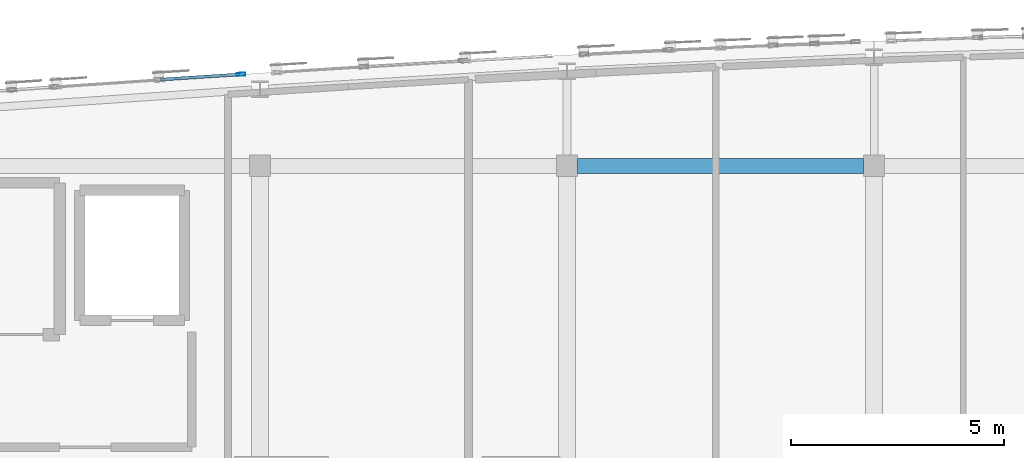
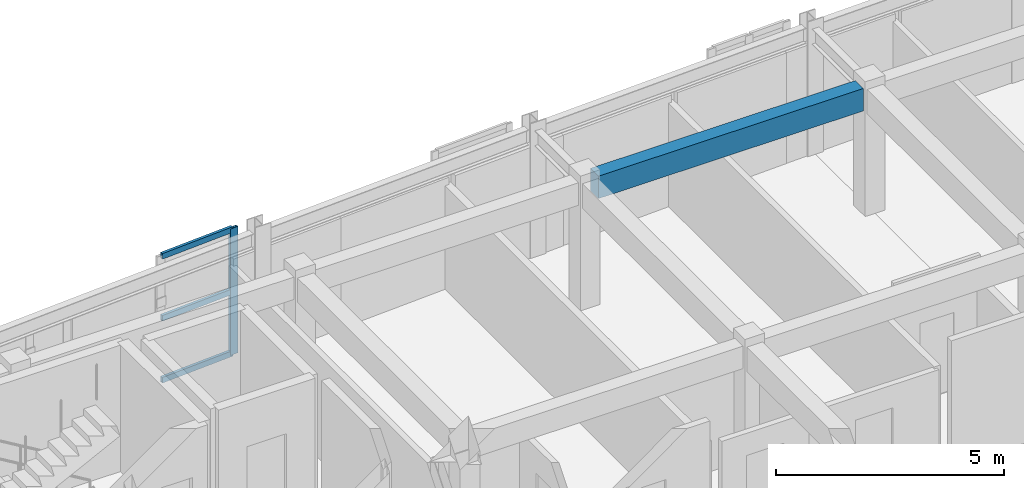
# One storey, part 11 of 34: 4 members, 1 beam, 1 element without a shape of its own.
"""IFC4 building model written with IfcOpenShell, lengths in metres."""

from ifc_helpers import new_model, si_unit, direction, frame, origin, origin_2d, place, context, subcontext, project, spatial, rectangle, hollow_rectangle, extrude, material, layer, layer_set, material_profile, profile_set, type_object, element, aggregate, save


model = new_model("IFC4")

# Units and contexts
model_context = context("Model", 3, precision=1e-05, world=origin(), true_north=direction((0.0, 1.0)))
body_context = subcontext(model_context, "Body", "Model", "MODEL_VIEW")
ifc_project = project(units=[si_unit("LENGTHUNIT", "METRE"), si_unit("AREAUNIT", "SQUARE_METRE"), si_unit("VOLUMEUNIT", "CUBIC_METRE"), si_unit("PLANEANGLEUNIT", "RADIAN"), si_unit("MASSUNIT", "GRAM", prefix="KILO")], contexts=[model_context])

# Site, building, storey
site_placement = place(None, origin())
site = spatial("IfcSite", under=ifc_project, at=site_placement, CompositionType="ELEMENT")
building_placement = place(site_placement, origin())
building = spatial("IfcBuilding", under=site, at=building_placement, Name="Carrowvane Square Congress Hotel", CompositionType="ELEMENT")
storey_placement = place(building_placement, frame((0.0, 0.0, 40.800048828125)))
storey = spatial("IfcBuildingStorey", under=building, at=storey_placement, Name="L10", CompositionType="ELEMENT", Elevation=40.800048828125)

# Beam
ifc_material_1 = material(Name="Concrete C35/45", Category="concrete")
ifc_material_profile_1 = material_profile(ifc_material_1, rectangle(XDim=0.35009765625, YDim=0.60009765625, at=origin_2d()), Name="RC 350x600")
ifc_profile_set_1 = profile_set([ifc_material_profile_1], Name="Concrete C35/45")
beam_type = type_object("IfcBeamType", Name="BM-RC-350x600", PredefinedType="BEAM", material=ifc_profile_set_1)
beam_placement = place(storey_placement, frame((76.64990234375, 113.39990234375, 3.079833984375), z_axis=(1.0, 0.0, 0.0), x_axis=(0.0, 1.0, 0.0)))
element("IfcBeam", 1, at=beam_placement, inside=storey, type_object=beam_type, Name="L11 girder R/10-11", PredefinedType="BEAM", context=body_context, shape_type="SweptSolid", body=[
    extrude(rectangle(XDim=0.35009765625, YDim=0.60009765625, at=origin_2d()), origin(), (0.0, 0.0, 1.0), 6.7001953125),
])

# Curtain wall, members
ifc_material_2 = material(Name="Anodised aluminium", Category="aluminium")
ifc_layer = layer(ifc_material_2, 0.174072265625)
ifc_layer_set = layer_set([ifc_layer], Name="Anodised aluminium")
curtain_wall_type = type_object("IfcCurtainWallType", Name="CW-SYS-2", PredefinedType="NOTDEFINED", material=ifc_layer_set)
curtain_wall_placement = place(storey_placement, origin())
curtain_wall = element("IfcCurtainWall", 2, at=curtain_wall_placement, inside=storey, type_object=curtain_wall_type, Name="L10 unitised curtain wall 561", PredefinedType="NOTDEFINED")
ifc_material_3 = material(Name="Anodised aluminium", Category="aluminium")
ifc_material_profile_2 = material_profile(ifc_material_3, hollow_rectangle(XDim=0.070068359375, YDim=0.199951171875, WallThickness=0.0048828125, at=origin_2d()), Name="CW-ML 70x200x5")
ifc_profile_set_2 = profile_set([ifc_material_profile_2], Name="Anodised aluminium")
member_type_1 = type_object("IfcMemberType", Name="CW-MUL-2", PredefinedType="MULLION", material=ifc_profile_set_2)
member_1_placement = place(storey_placement, frame((68.756591796875, 115.545166015625, 0.0), z_axis=(0.0, 0.0, 1.0), x_axis=(-0.065412223074, 0.997858327155, 0.0)))
member_1 = element("IfcMember", 3, at=member_1_placement, type_object=member_type_1, Name="CW-2 mullion 2", PredefinedType="MULLION", context=body_context, shape_type="SweptSolid", body=[
    extrude(hollow_rectangle(XDim=0.070068359375, YDim=0.199951171875, WallThickness=0.0048828125, at=origin_2d()), origin(), (0.0, 0.0, 1.0), 3.3798828125),
])
ifc_material_4 = material(Name="Anodised aluminium", Category="aluminium")
ifc_material_profile_3 = material_profile(ifc_material_4, hollow_rectangle(XDim=0.070068359375, YDim=0.14990234375, WallThickness=0.0048828125, at=origin_2d()), Name="CW-TR 70x150x5")
ifc_profile_set_3 = profile_set([ifc_material_profile_3], Name="Anodised aluminium")
member_type_2 = type_object("IfcMemberType", Name="CW-TRN-2", PredefinedType="USERDEFINED", material=ifc_profile_set_3)
member_2_placement = place(storey_placement, frame((66.869873046875, 115.421630859375, 0.034912109375), z_axis=(0.997860186588, 0.065383851382, 0.0), x_axis=(-0.065383851382, 0.997860186588, 0.0)))
member_2 = element("IfcMember", 4, at=member_2_placement, type_object=member_type_2, Name="CW-2 transom 1.1", ObjectType="TRANSOM", PredefinedType="USERDEFINED", context=body_context, shape_type="SweptSolid", body=[
    extrude(hollow_rectangle(XDim=0.070068359375, YDim=0.14990234375, WallThickness=0.0048828125, at=origin_2d()), origin(), (0.0, 0.0, 1.0), 1.855712890625),
])
member_3_placement = place(storey_placement, frame((66.869873046875, 115.421630859375, 1.68994140625), z_axis=(0.997860186588, 0.065383851382, 0.0), x_axis=(-0.065383851382, 0.997860186588, 0.0)))
member_3 = element("IfcMember", 5, at=member_3_placement, type_object=member_type_2, Name="CW-2 transom 1.2", ObjectType="TRANSOM", PredefinedType="USERDEFINED", context=body_context, shape_type="SweptSolid", body=[
    extrude(hollow_rectangle(XDim=0.070068359375, YDim=0.14990234375, WallThickness=0.0048828125, at=origin_2d()), origin(), (0.0, 0.0, 1.0), 1.855712890625),
])
member_4_placement = place(storey_placement, frame((66.869873046875, 115.421630859375, 3.344970703125), z_axis=(0.997860186588, 0.065383851382, 0.0), x_axis=(-0.065383851382, 0.997860186588, 0.0)))
member_4 = element("IfcMember", 6, at=member_4_placement, type_object=member_type_2, Name="CW-2 transom 1.3", ObjectType="TRANSOM", PredefinedType="USERDEFINED", context=body_context, shape_type="SweptSolid", body=[
    extrude(hollow_rectangle(XDim=0.070068359375, YDim=0.14990234375, WallThickness=0.0048828125, at=origin_2d()), origin(), (0.0, 0.0, 1.0), 1.855712890625),
])
aggregate(curtain_wall, [member_1, member_2, member_3, member_4])

save(model, "model.ifc")
